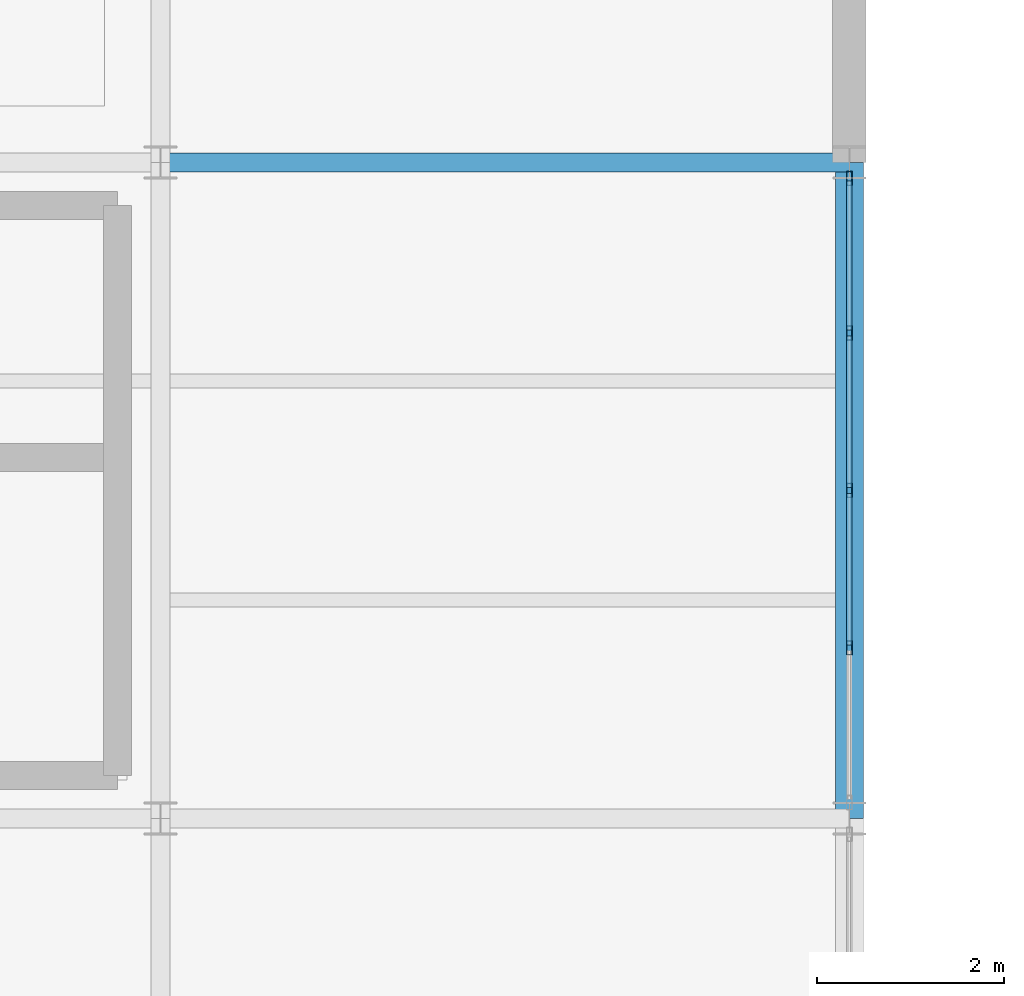
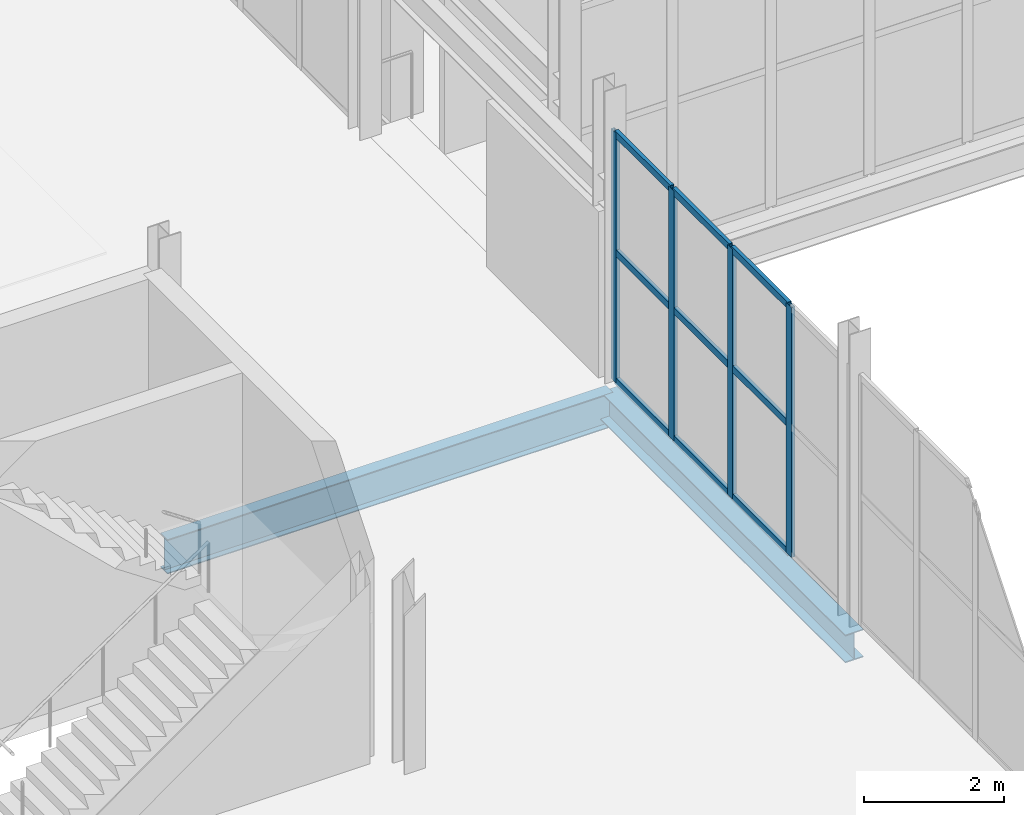
# One storey, part 42 of 218: 13 members, 2 beams, 1 element without a shape of its own.
"""IFC4 building model written with IfcOpenShell, lengths in metres."""

from ifc_helpers import new_model, si_unit, direction, frame, origin, origin_2d, place, context, subcontext, project, spatial, hollow_rectangle, i_section, extrude, material, material_profile, profile_set, type_object, element, aggregate, save


model = new_model("IFC4")

# Units and contexts
model_context = context("Model", 3, precision=1e-05, world=origin(), true_north=direction((0.0, 1.0)))
body_context = subcontext(model_context, "Body", "Model", "MODEL_VIEW")
ifc_project = project(units=[si_unit("LENGTHUNIT", "METRE"), si_unit("AREAUNIT", "SQUARE_METRE"), si_unit("VOLUMEUNIT", "CUBIC_METRE"), si_unit("PLANEANGLEUNIT", "RADIAN"), si_unit("MASSUNIT", "GRAM", prefix="KILO")], contexts=[model_context])

# Site, building, storey
site_placement = place(None, origin())
site = spatial("IfcSite", under=ifc_project, at=site_placement, CompositionType="ELEMENT")
building_placement = place(site_placement, origin())
building = spatial("IfcBuilding", under=site, at=building_placement, Name="Kazenagashi Tramway Depot", CompositionType="ELEMENT")
storey_placement = place(building_placement, frame((0.0, 0.0, 6.0)))
storey = spatial("IfcBuildingStorey", under=building, at=storey_placement, Name="L02", CompositionType="ELEMENT", Elevation=6.0)

# Beam
ifc_material_1 = material(Name="Steel SN490B", Category="steel")
ifc_material_profile_1 = material_profile(ifc_material_1, i_section(OverallWidth=0.2, OverallDepth=0.6, WebThickness=0.011, FlangeThickness=0.017, at=origin_2d()), Name="H-600x200x11x17")
ifc_profile_set_1 = profile_set([ifc_material_profile_1], Name="Steel SN490B")
beam_type_1 = type_object("IfcBeamType", Name="G-03", PredefinedType="BEAM", material=ifc_profile_set_1)
beam_1_placement = place(storey_placement, frame((36.75, 14.0, -0.55), z_axis=(1.0, 0.0, 0.0), x_axis=(0.0, 1.0, 0.0)))
element("IfcBeam", 1, at=beam_1_placement, inside=storey, type_object=beam_type_1, Name="Beam G-03 BM-0016", PredefinedType="BEAM", context=body_context, shape_type="SweptSolid", body=[
    extrude(i_section(OverallWidth=0.2, OverallDepth=0.6, WebThickness=0.011, FlangeThickness=0.017, at=origin_2d()), origin(), (0.0, 0.0, 1.0), 7.35),
])

# Curtain wall, members
ifc_material_2 = material(Name="Anodised Aluminium and Low-E Glazing", Category="aluminium")
curtain_wall_type = type_object("IfcCurtainWallType", Name="CW-34", PredefinedType="USERDEFINED", material=ifc_material_2)
curtain_wall_placement = place(storey_placement, origin())
curtain_wall = element("IfcCurtainWall", 2, at=curtain_wall_placement, inside=storey, type_object=curtain_wall_type, Name="Industrial Glazed Screen CW-34 CW-0183", ObjectType="GLAZED SCREEN", PredefinedType="USERDEFINED")
ifc_material_3 = material(Name="Anodised Aluminium", Category="aluminium")
ifc_material_profile_2 = material_profile(ifc_material_3, hollow_rectangle(XDim=0.06, YDim=0.15, WallThickness=0.004, at=origin_2d()), Name="RHS-150x60x4")
ifc_profile_set_2 = profile_set([ifc_material_profile_2], Name="Anodised Aluminium")
member_type_1 = type_object("IfcMemberType", Name="ML-01", PredefinedType="MULLION", material=ifc_profile_set_2)
member_1_placement = place(storey_placement, frame((44.1, 8.82, 0.0), z_axis=(0.0, 0.0, 1.0), x_axis=(-1.0, 0.0, 0.0)))
member_1 = element("IfcMember", 3, at=member_1_placement, type_object=member_type_1, Name="CW-34 mullion 2", PredefinedType="MULLION", context=body_context, shape_type="SweptSolid", body=[
    extrude(hollow_rectangle(XDim=0.06, YDim=0.15, WallThickness=0.004, at=origin_2d()), origin(), (0.0, 0.0, 1.0), 4.362),
])
member_2_placement = place(storey_placement, frame((44.1, 10.5, 0.0), z_axis=(0.0, 0.0, 1.0), x_axis=(-1.0, 0.0, 0.0)))
member_2 = element("IfcMember", 4, at=member_2_placement, type_object=member_type_1, Name="CW-34 mullion 3", PredefinedType="MULLION", context=body_context, shape_type="SweptSolid", body=[
    extrude(hollow_rectangle(XDim=0.06, YDim=0.15, WallThickness=0.004, at=origin_2d()), origin(), (0.0, 0.0, 1.0), 4.362),
])
member_3_placement = place(storey_placement, frame((44.1, 12.18, 0.0), z_axis=(0.0, 0.0, 1.0), x_axis=(-1.0, 0.0, 0.0)))
member_3 = element("IfcMember", 5, at=member_3_placement, type_object=member_type_1, Name="CW-34 mullion 4", PredefinedType="MULLION", context=body_context, shape_type="SweptSolid", body=[
    extrude(hollow_rectangle(XDim=0.06, YDim=0.15, WallThickness=0.004, at=origin_2d()), origin(), (0.0, 0.0, 1.0), 4.362),
])
member_4_placement = place(storey_placement, frame((44.1, 13.83, 0.0), z_axis=(0.0, 0.0, 1.0), x_axis=(-1.0, 0.0, 0.0)))
member_4 = element("IfcMember", 6, at=member_4_placement, type_object=member_type_1, Name="CW-34 mullion 5", PredefinedType="MULLION", context=body_context, shape_type="SweptSolid", body=[
    extrude(hollow_rectangle(XDim=0.06, YDim=0.15, WallThickness=0.004, at=origin_2d()), origin(), (0.0, 0.0, 1.0), 4.362),
])

# Beam
ifc_material_profile_3 = material_profile(ifc_material_1, i_section(OverallWidth=0.3, OverallDepth=0.488, WebThickness=0.011, FlangeThickness=0.018, at=origin_2d()), Name="H-488x300x11x18")
ifc_profile_set_3 = profile_set([ifc_material_profile_3], Name="Steel SN490B")
beam_type_2 = type_object("IfcBeamType", Name="SP-02", PredefinedType="SPANDREL", material=ifc_profile_set_3)
beam_2_placement = place(storey_placement, frame((44.1, 7.0, -0.494), z_axis=(0.0, 1.0, 0.0), x_axis=(-1.0, 0.0, 0.0)))
element("IfcBeam", 7, at=beam_2_placement, inside=storey, type_object=beam_type_2, Name="Beam SP-02 BM-0210", PredefinedType="SPANDREL", context=body_context, shape_type="SweptSolid", body=[
    extrude(i_section(OverallWidth=0.3, OverallDepth=0.488, WebThickness=0.011, FlangeThickness=0.018, at=origin_2d()), origin(), (0.0, 0.0, 1.0), 7.0),
])

# Member
ifc_material_profile_4 = material_profile(ifc_material_3, hollow_rectangle(XDim=0.06, YDim=0.12, WallThickness=0.004, at=origin_2d()), Name="RHS-120x60x4")
ifc_profile_set_4 = profile_set([ifc_material_profile_4], Name="Anodised Aluminium")
member_type_2 = type_object("IfcMemberType", Name="TR-01", PredefinedType="USERDEFINED", material=ifc_profile_set_4)
member_5_placement = place(storey_placement, frame((44.1, 8.85, 0.03), z_axis=(0.0, 1.0, 0.0), x_axis=(-1.0, 0.0, 0.0)))
member_5 = element("IfcMember", 8, at=member_5_placement, type_object=member_type_2, Name="CW-34 transom 2.1", ObjectType="TRANSOM", PredefinedType="USERDEFINED", context=body_context, shape_type="SweptSolid", body=[
    extrude(hollow_rectangle(XDim=0.06, YDim=0.12, WallThickness=0.004, at=origin_2d()), origin(), (0.0, 0.0, 1.0), 1.62),
])

member_6_placement = place(storey_placement, frame((44.1, 8.85, 2.268), z_axis=(0.0, 1.0, 0.0), x_axis=(-1.0, 0.0, 0.0)))
member_6 = element("IfcMember", 9, at=member_6_placement, type_object=member_type_2, Name="CW-34 transom 2.2", ObjectType="TRANSOM", PredefinedType="USERDEFINED", context=body_context, shape_type="SweptSolid", body=[
    extrude(hollow_rectangle(XDim=0.06, YDim=0.12, WallThickness=0.004, at=origin_2d()), origin(), (0.0, 0.0, 1.0), 1.62),
])

member_7_placement = place(storey_placement, frame((44.1, 8.85, 4.332), z_axis=(0.0, 1.0, 0.0), x_axis=(-1.0, 0.0, 0.0)))
member_7 = element("IfcMember", 10, at=member_7_placement, type_object=member_type_2, Name="CW-34 transom 2.3", ObjectType="TRANSOM", PredefinedType="USERDEFINED", context=body_context, shape_type="SweptSolid", body=[
    extrude(hollow_rectangle(XDim=0.06, YDim=0.12, WallThickness=0.004, at=origin_2d()), origin(), (0.0, 0.0, 1.0), 1.62),
])

member_8_placement = place(storey_placement, frame((44.1, 10.53, 0.03), z_axis=(0.0, 1.0, 0.0), x_axis=(-1.0, 0.0, 0.0)))
member_8 = element("IfcMember", 11, at=member_8_placement, type_object=member_type_2, Name="CW-34 transom 3.1", ObjectType="TRANSOM", PredefinedType="USERDEFINED", context=body_context, shape_type="SweptSolid", body=[
    extrude(hollow_rectangle(XDim=0.06, YDim=0.12, WallThickness=0.004, at=origin_2d()), origin(), (0.0, 0.0, 1.0), 1.62),
])

member_9_placement = place(storey_placement, frame((44.1, 10.53, 2.268), z_axis=(0.0, 1.0, 0.0), x_axis=(-1.0, 0.0, 0.0)))
member_9 = element("IfcMember", 12, at=member_9_placement, type_object=member_type_2, Name="CW-34 transom 3.2", ObjectType="TRANSOM", PredefinedType="USERDEFINED", context=body_context, shape_type="SweptSolid", body=[
    extrude(hollow_rectangle(XDim=0.06, YDim=0.12, WallThickness=0.004, at=origin_2d()), origin(), (0.0, 0.0, 1.0), 1.62),
])

member_10_placement = place(storey_placement, frame((44.1, 10.53, 4.332), z_axis=(0.0, 1.0, 0.0), x_axis=(-1.0, 0.0, 0.0)))
member_10 = element("IfcMember", 13, at=member_10_placement, type_object=member_type_2, Name="CW-34 transom 3.3", ObjectType="TRANSOM", PredefinedType="USERDEFINED", context=body_context, shape_type="SweptSolid", body=[
    extrude(hollow_rectangle(XDim=0.06, YDim=0.12, WallThickness=0.004, at=origin_2d()), origin(), (0.0, 0.0, 1.0), 1.62),
])

member_11_placement = place(storey_placement, frame((44.1, 12.21, 0.03), z_axis=(0.0, 1.0, 0.0), x_axis=(-1.0, 0.0, 0.0)))
member_11 = element("IfcMember", 14, at=member_11_placement, type_object=member_type_2, Name="CW-34 transom 4.1", ObjectType="TRANSOM", PredefinedType="USERDEFINED", context=body_context, shape_type="SweptSolid", body=[
    extrude(hollow_rectangle(XDim=0.06, YDim=0.12, WallThickness=0.004, at=origin_2d()), origin(), (0.0, 0.0, 1.0), 1.59),
])

member_12_placement = place(storey_placement, frame((44.1, 12.21, 2.268), z_axis=(0.0, 1.0, 0.0), x_axis=(-1.0, 0.0, 0.0)))
member_12 = element("IfcMember", 15, at=member_12_placement, type_object=member_type_2, Name="CW-34 transom 4.2", ObjectType="TRANSOM", PredefinedType="USERDEFINED", context=body_context, shape_type="SweptSolid", body=[
    extrude(hollow_rectangle(XDim=0.06, YDim=0.12, WallThickness=0.004, at=origin_2d()), origin(), (0.0, 0.0, 1.0), 1.59),
])

member_13_placement = place(storey_placement, frame((44.1, 12.21, 4.332), z_axis=(0.0, 1.0, 0.0), x_axis=(-1.0, 0.0, 0.0)))
member_13 = element("IfcMember", 16, at=member_13_placement, type_object=member_type_2, Name="CW-34 transom 4.3", ObjectType="TRANSOM", PredefinedType="USERDEFINED", context=body_context, shape_type="SweptSolid", body=[
    extrude(hollow_rectangle(XDim=0.06, YDim=0.12, WallThickness=0.004, at=origin_2d()), origin(), (0.0, 0.0, 1.0), 1.59),
])

aggregate(curtain_wall, [member_1, member_2, member_3, member_4, member_5, member_6, member_7, member_8, member_9, member_10, member_11, member_12, member_13])

save(model, "model.ifc")
